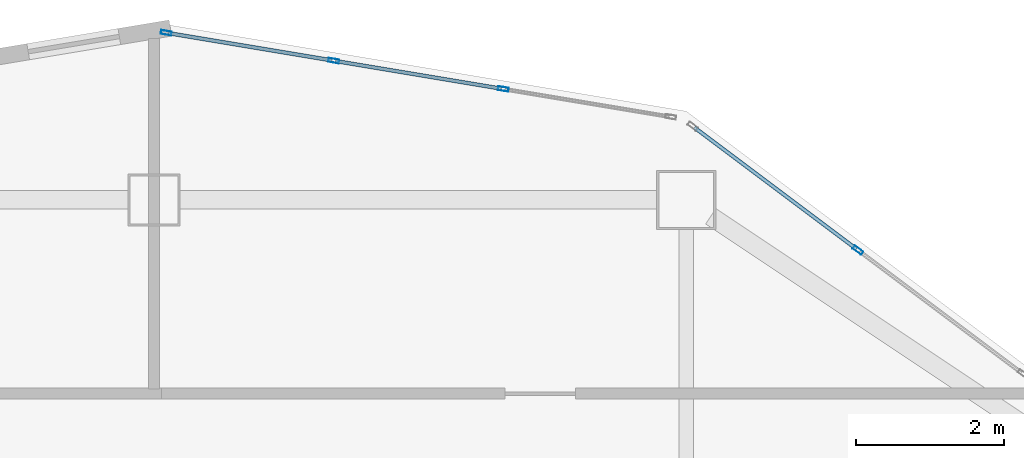
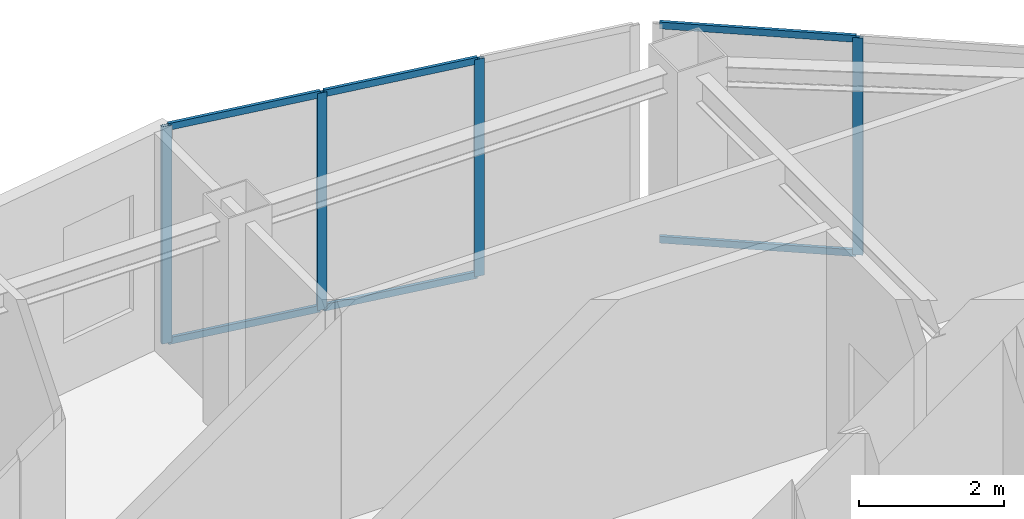
# One storey, part 2 of 9: 10 members, 2 elements without a shape of their own.
"""IFC4 building model written with IfcOpenShell, lengths in metres."""

from ifc_helpers import new_model, si_unit, direction, frame, origin, origin_2d, place, context, subcontext, project, spatial, hollow_rectangle, extrude, material, layer, layer_set, material_profile, profile_set, type_object, element, aggregate, save


model = new_model("IFC4")

# Units and contexts
model_context = context("Model", 3, precision=1e-05, world=origin(), true_north=direction((0.0, 1.0)))
body_context = subcontext(model_context, "Body", "Model", "MODEL_VIEW")
ifc_project = project(units=[si_unit("LENGTHUNIT", "METRE"), si_unit("AREAUNIT", "SQUARE_METRE"), si_unit("VOLUMEUNIT", "CUBIC_METRE"), si_unit("PLANEANGLEUNIT", "RADIAN"), si_unit("MASSUNIT", "GRAM", prefix="KILO")], contexts=[model_context])

# Site, building, storey
site_placement = place(None, origin())
site = spatial("IfcSite", under=ifc_project, at=site_placement, CompositionType="ELEMENT")
building_placement = place(site_placement, origin())
building = spatial("IfcBuilding", under=site, at=building_placement, Name="Haolan Belvedere Tower", CompositionType="ELEMENT")
storey_placement = place(building_placement, frame((0.0, 0.0, 239.050048828125)))
storey = spatial("IfcBuildingStorey", under=building, at=storey_placement, Name="L60", CompositionType="ELEMENT", Elevation=239.050048828125)

# Curtain wall, member
ifc_material_1 = material(Name="Anodised champagne-silver aluminium 6063-T6 and Low-E glass", Category="aluminium")
ifc_layer = layer(ifc_material_1, 0.14501953125, Name="Anodised champagne-silver aluminium 6063-T6 and Low-E glass")
ifc_layer_set = layer_set([ifc_layer], Name="Anodised champagne-silver aluminium 6063-T6 and Low-E glass")
curtain_wall_type = type_object("IfcCurtainWallType", Name="CW-SYS-05", PredefinedType="NOTDEFINED", material=ifc_layer_set)
curtain_wall_1_placement = place(storey_placement, origin())
curtain_wall_1 = element("IfcCurtainWall", 1, at=curtain_wall_1_placement, inside=storey, type_object=curtain_wall_type, Name="L60 CW-SYS-05 ribbon curtain wall 8.1", PredefinedType="NOTDEFINED")
ifc_material_2 = material(Name="Anodised aluminium 6063-T6", Category="aluminium")
ifc_material_profile_1 = material_profile(ifc_material_2, hollow_rectangle(XDim=0.053955078125, YDim=0.14501953125, WallThickness=0.00390625, at=origin_2d()), Name="Anodised aluminium 6063-T6")
ifc_profile_set_1 = profile_set([ifc_material_profile_1], Name="Anodised aluminium 6063-T6")
member_type_1 = type_object("IfcMemberType", Name="CW-SYS-05-MUL", PredefinedType="MULLION", material=ifc_profile_set_1)
member_1_placement = place(storey_placement, frame((47.9228515625, 49.720458984375, 0.0), z_axis=(0.0, 0.0, 1.0), x_axis=(-0.600002837806, -0.799997871638, 0.0)))
member_1 = element("IfcMember", 2, at=member_1_placement, type_object=member_type_1, Name="CW-05 mullion 2", PredefinedType="MULLION", context=body_context, shape_type="SweptSolid", body=[
    extrude(hollow_rectangle(XDim=0.053955078125, YDim=0.14501953125, WallThickness=0.00390625, at=origin_2d()), origin(), (0.0, 0.0, 1.0), 3.669921875),
])

# Curtain wall, members
curtain_wall_2_placement = place(storey_placement, origin())
curtain_wall_2 = element("IfcCurtainWall", 3, at=curtain_wall_2_placement, inside=storey, type_object=curtain_wall_type, Name="L60 CW-SYS-05 ribbon curtain wall 9.1", PredefinedType="NOTDEFINED")
member_2_placement = place(storey_placement, frame((43.124267578125, 51.901123046875, 0.0), z_axis=(0.0, 0.0, 1.0), x_axis=(-0.164405962825, -0.98639276122, 0.0)))
member_2 = element("IfcMember", 4, at=member_2_placement, type_object=member_type_1, Name="CW-05 mullion 2", PredefinedType="MULLION", context=body_context, shape_type="SweptSolid", body=[
    extrude(hollow_rectangle(XDim=0.053955078125, YDim=0.14501953125, WallThickness=0.00390625, at=origin_2d()), origin(), (0.0, 0.0, 1.0), 3.669921875),
])
member_3_placement = place(storey_placement, frame((40.831298828125, 52.283203125, 0.0), z_axis=(0.0, 0.0, 1.0), x_axis=(-0.164405962825, -0.98639276122, 0.0)))
member_3 = element("IfcMember", 5, at=member_3_placement, type_object=member_type_1, Name="CW-05 mullion 3", PredefinedType="MULLION", context=body_context, shape_type="SweptSolid", body=[
    extrude(hollow_rectangle(XDim=0.053955078125, YDim=0.14501953125, WallThickness=0.00390625, at=origin_2d()), origin(), (0.0, 0.0, 1.0), 3.669921875),
])
member_4_placement = place(storey_placement, frame((38.564697265625, 52.6611328125, 0.0), z_axis=(0.0, 0.0, 1.0), x_axis=(-0.164405962825, -0.98639276122, 0.0)))
member_4 = element("IfcMember", 6, at=member_4_placement, type_object=member_type_1, Name="CW-05 mullion 4", PredefinedType="MULLION", context=body_context, shape_type="SweptSolid", body=[
    extrude(hollow_rectangle(XDim=0.053955078125, YDim=0.14501953125, WallThickness=0.00390625, at=origin_2d()), origin(), (0.0, 0.0, 1.0), 3.669921875),
])

# Member
ifc_material_profile_2 = material_profile(ifc_material_2, hollow_rectangle(XDim=0.050048828125, YDim=0.114990234375, WallThickness=0.00390625, at=origin_2d()), Name="Anodised aluminium 6063-T6")
ifc_profile_set_2 = profile_set([ifc_material_profile_2], Name="Anodised aluminium 6063-T6")
member_type_2 = type_object("IfcMemberType", Name="CW-SYS-05-TRN", PredefinedType="USERDEFINED", material=ifc_profile_set_2)
member_5_placement = place(storey_placement, frame((47.901123046875, 49.736572265625, 0.02490234375), z_axis=(-0.8, 0.6, 0.0), x_axis=(-0.6, -0.8, 0.0)))
member_5 = element("IfcMember", 7, at=member_5_placement, type_object=member_type_2, Name="CW-05 transom 2.1", ObjectType="TRANSOM", PredefinedType="USERDEFINED", context=body_context, shape_type="SweptSolid", body=[
    extrude(hollow_rectangle(XDim=0.050048828125, YDim=0.114990234375, WallThickness=0.00390625, at=origin_2d()), origin(), (0.0, 0.0, 1.0), 2.738037109375),
])

member_6_placement = place(storey_placement, frame((47.901123046875, 49.736572265625, 3.64501953125), z_axis=(-0.8, 0.6, 0.0), x_axis=(-0.6, -0.8, 0.0)))
member_6 = element("IfcMember", 8, at=member_6_placement, type_object=member_type_2, Name="CW-05 transom 2.2", ObjectType="TRANSOM", PredefinedType="USERDEFINED", context=body_context, shape_type="SweptSolid", body=[
    extrude(hollow_rectangle(XDim=0.050048828125, YDim=0.114990234375, WallThickness=0.00390625, at=origin_2d()), origin(), (0.0, 0.0, 1.0), 2.738037109375),
])

aggregate(curtain_wall_1, [member_1, member_5, member_6])

member_7_placement = place(storey_placement, frame((43.09765625, 51.905517578125, 0.02490234375), z_axis=(-0.986393923832, 0.164398987305, 0.0), x_axis=(-0.164398987305, -0.986393923832, 0.0)))
member_7 = element("IfcMember", 9, at=member_7_placement, type_object=member_type_2, Name="CW-05 transom 2.1", ObjectType="TRANSOM", PredefinedType="USERDEFINED", context=body_context, shape_type="SweptSolid", body=[
    extrude(hollow_rectangle(XDim=0.050048828125, YDim=0.114990234375, WallThickness=0.00390625, at=origin_2d()), origin(), (0.0, 0.0, 1.0), 2.270751953125),
])

member_8_placement = place(storey_placement, frame((43.09765625, 51.905517578125, 3.64501953125), z_axis=(-0.986393923832, 0.164398987305, 0.0), x_axis=(-0.164398987305, -0.986393923832, 0.0)))
member_8 = element("IfcMember", 10, at=member_8_placement, type_object=member_type_2, Name="CW-05 transom 2.2", ObjectType="TRANSOM", PredefinedType="USERDEFINED", context=body_context, shape_type="SweptSolid", body=[
    extrude(hollow_rectangle(XDim=0.050048828125, YDim=0.114990234375, WallThickness=0.00390625, at=origin_2d()), origin(), (0.0, 0.0, 1.0), 2.270751953125),
])

member_9_placement = place(storey_placement, frame((40.8046875, 52.287841796875, 0.02490234375), z_axis=(-0.986393923832, 0.164398987305, 0.0), x_axis=(-0.164398987305, -0.986393923832, 0.0)))
member_9 = element("IfcMember", 11, at=member_9_placement, type_object=member_type_2, Name="CW-05 transom 3.1", ObjectType="TRANSOM", PredefinedType="USERDEFINED", context=body_context, shape_type="SweptSolid", body=[
    extrude(hollow_rectangle(XDim=0.050048828125, YDim=0.114990234375, WallThickness=0.00390625, at=origin_2d()), origin(), (0.0, 0.0, 1.0), 2.243896484375),
])

member_10_placement = place(storey_placement, frame((40.8046875, 52.287841796875, 3.64501953125), z_axis=(-0.986393923832, 0.164398987305, 0.0), x_axis=(-0.164398987305, -0.986393923832, 0.0)))
member_10 = element("IfcMember", 12, at=member_10_placement, type_object=member_type_2, Name="CW-05 transom 3.2", ObjectType="TRANSOM", PredefinedType="USERDEFINED", context=body_context, shape_type="SweptSolid", body=[
    extrude(hollow_rectangle(XDim=0.050048828125, YDim=0.114990234375, WallThickness=0.00390625, at=origin_2d()), origin(), (0.0, 0.0, 1.0), 2.243896484375),
])

aggregate(curtain_wall_2, [member_2, member_3, member_4, member_7, member_8, member_9, member_10])

save(model, "model.ifc")
